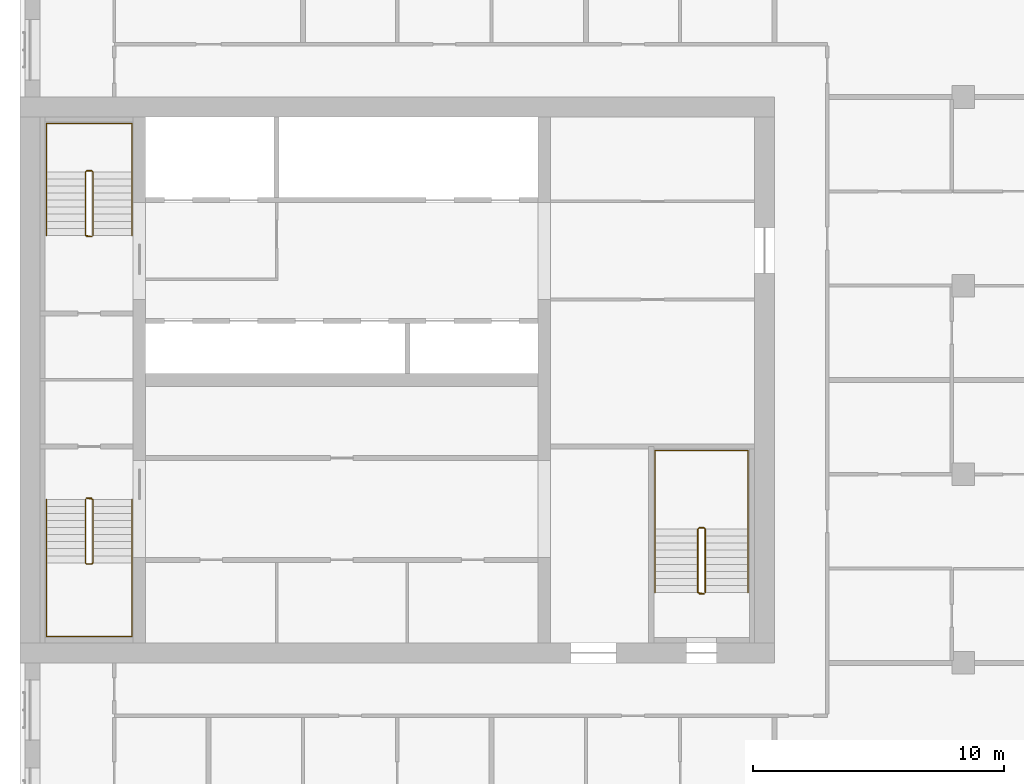
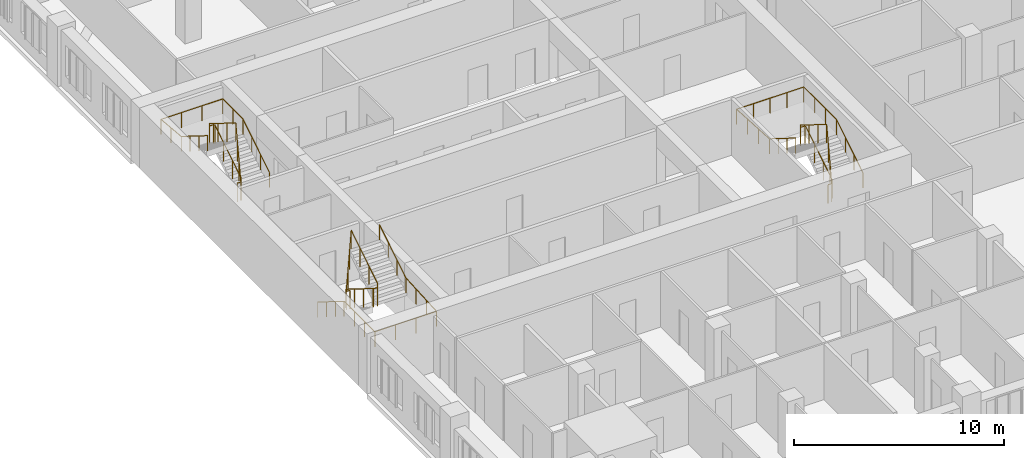
# One storey, part 14 of 14: 6 railings.
"""IFC4 building model written with IfcOpenShell, lengths in metres."""

from ifc_helpers import new_model, si_unit, direction, frame, origin, origin_2d, place, context, subcontext, project, spatial, circle, extrude, material, type_object, element, save


model = new_model("IFC4")

# Units and contexts
model_context = context("Model", 3, precision=1e-05, world=origin(), true_north=direction((0.0, 1.0)))
body_context = subcontext(model_context, "Body", "Model", "MODEL_VIEW")
ifc_project = project(units=[si_unit("LENGTHUNIT", "METRE"), si_unit("AREAUNIT", "SQUARE_METRE"), si_unit("VOLUMEUNIT", "CUBIC_METRE"), si_unit("PLANEANGLEUNIT", "RADIAN"), si_unit("MASSUNIT", "GRAM", prefix="KILO")], contexts=[model_context])

# Site, building, storey
site_placement = place(None, origin())
site = spatial("IfcSite", under=ifc_project, at=site_placement, CompositionType="ELEMENT")
building_placement = place(site_placement, origin())
building = spatial("IfcBuilding", under=site, at=building_placement, Name="Tamorin Gate", CompositionType="ELEMENT")
storey_placement = place(building_placement, frame((0.0, 0.0, 207.199951171875)))
storey = spatial("IfcBuildingStorey", under=building, at=storey_placement, Name="L51", CompositionType="ELEMENT", Elevation=207.199951171875)

# Railings
ifc_material_1 = material(Name="Painted steel balustrade", Category="steel")
railing_type_1 = type_object("IfcRailingType", Name="Stair guard 1100", PredefinedType="GUARDRAIL", material=ifc_material_1)
railing_1_placement = place(storey_placement, frame((32.60009765625, 66.5, 0.175048828125)))
element("IfcRailing", 1, at=railing_1_placement, inside=storey, type_object=railing_type_1, Name="L51 ST1 stair guard 1", PredefinedType="GUARDRAIL", context=body_context, shape_type="SweptSolid", body=[
    extrude(circle(Radius=0.02392578125, at=origin_2d()), frame((0.0, 0.0, 1.076171875), z_axis=(0.0, -0.848007534815, 0.529984170421), x_axis=(1.0, 0.0, 0.0)), (0.0, 0.0, 1.0), 2.9716796875),
    extrude(circle(Radius=0.02392578125, at=origin_2d()), frame((0.0, -2.52001953125, 2.65087890625), z_axis=(0.705375805398, -0.708833529934, 0.0), x_axis=(0.708833529934, 0.705375805398, 0.0)), (0.0, 0.0, 1.0), 0.070556640625),
    extrude(circle(Radius=0.02392578125, at=origin_2d()), frame((0.0498046875, -2.570068359375, 2.65087890625), z_axis=(1.0, 0.0, 0.0), x_axis=(0.0, 1.0, 0.0)), (0.0, 0.0, 1.0), 0.2001953125),
    extrude(circle(Radius=0.02392578125, at=origin_2d()), frame((0.25, -2.570068359375, 2.65087890625), z_axis=(0.263862480399, 0.265155923931, 0.927399011991), x_axis=(-0.708833529934, 0.705375805398, 0.0)), (0.0, 0.0, 1.0), 0.188720703125),
    extrude(circle(Radius=0.02392578125, at=origin_2d()), frame((0.2998046875, -2.52001953125, 2.826171875), z_axis=(0.0, 0.848007534815, 0.529984170421), x_axis=(-1.0, 0.0, 0.0)), (0.0, 0.0, 1.0), 2.9716796875),
    extrude(circle(Radius=0.02392578125, at=origin_2d()), frame((0.2998046875, 0.0, 4.40087890625), z_axis=(-0.071239803756, 0.014261874775, -0.997357252587), x_axis=(-0.196300278283, -0.98054382908, 0.0)), (0.0, 0.0, 1.0), 3.50927734375),
    extrude(circle(Radius=0.02392578125, at=origin_2d()), frame((0.0498046875, 0.050048828125, 0.90087890625), z_axis=(1.0, 0.0, 0.0), x_axis=(0.0, 1.0, 0.0)), (0.0, 0.0, 1.0), 0.2001953125),
    extrude(circle(Radius=0.02099609375, at=origin_2d()), origin(), (0.0, 0.0, 1.0), 1.052001953125),
    extrude(circle(Radius=0.02099609375, at=origin_2d()), frame((0.0, -0.840087890625, 0.52490234375)), (0.0, 0.0, 1.0), 1.052001953125),
    extrude(circle(Radius=0.02099609375, at=origin_2d()), frame((0.0, -1.679931640625, 1.050048828125)), (0.0, 0.0, 1.0), 1.052001953125),
    extrude(circle(Radius=0.02099609375, at=origin_2d()), frame((0.0, -2.52001953125, 1.574951171875)), (0.0, 0.0, 1.0), 1.052001953125),
    extrude(circle(Radius=0.02099609375, at=origin_2d()), frame((0.0498046875, -2.570068359375, 1.574951171875)), (0.0, 0.0, 1.0), 1.052001953125),
    extrude(circle(Radius=0.02099609375, at=origin_2d()), frame((0.25, -2.570068359375, 1.574951171875)), (0.0, 0.0, 1.0), 1.052001953125),
    extrude(circle(Radius=0.02099609375, at=origin_2d()), frame((0.2998046875, -2.52001953125, 1.75)), (0.0, 0.0, 1.0), 1.052001953125),
    extrude(circle(Radius=0.02099609375, at=origin_2d()), frame((0.2998046875, -1.679931640625, 2.27490234375)), (0.0, 0.0, 1.0), 1.052001953125),
    extrude(circle(Radius=0.02099609375, at=origin_2d()), frame((0.2998046875, -0.840087890625, 2.800048828125)), (0.0, 0.0, 1.0), 1.052001953125),
    extrude(circle(Radius=0.02099609375, at=origin_2d()), frame((0.2998046875, 0.0, 3.324951171875)), (0.0, 0.0, 1.0), 1.052001953125),
    extrude(circle(Radius=0.02099609375, at=origin_2d()), frame((0.216552734375, 0.0166015625, 2.158203125)), (0.0, 0.0, 1.0), 1.052001953125),
    extrude(circle(Radius=0.02099609375, at=origin_2d()), frame((0.133056640625, 0.033447265625, 0.99169921875)), (0.0, 0.0, 1.0), 1.052001953125),
    extrude(circle(Radius=0.02099609375, at=origin_2d()), frame((0.0498046875, 0.050048828125, -0.175048828125)), (0.0, 0.0, 1.0), 1.052001953125),
    extrude(circle(Radius=0.02099609375, at=origin_2d()), frame((0.25, 0.050048828125, -0.175048828125)), (0.0, 0.0, 1.0), 1.052001953125),
])
railing_2_placement = place(storey_placement, frame((32.89990234375, 77.0, 0.175048828125)))
element("IfcRailing", 2, at=railing_2_placement, inside=storey, type_object=railing_type_1, Name="L51 ST2 stair guard 1", PredefinedType="GUARDRAIL", context=body_context, shape_type="SweptSolid", body=[
    extrude(circle(Radius=0.02392578125, at=origin_2d()), frame((0.0, 0.0, 1.076171875), z_axis=(0.0, 0.848007534815, 0.529984170421), x_axis=(-1.0, 0.0, 0.0)), (0.0, 0.0, 1.0), 2.9716796875),
    extrude(circle(Radius=0.02392578125, at=origin_2d()), frame((0.0, 2.52001953125, 2.65087890625), z_axis=(-0.705375805398, 0.708833529934, 0.0), x_axis=(-0.708833529934, -0.705375805398, 0.0)), (0.0, 0.0, 1.0), 0.070556640625),
    extrude(circle(Radius=0.02392578125, at=origin_2d()), frame((-0.0498046875, 2.570068359375, 2.65087890625), z_axis=(-1.0, 0.0, 0.0), x_axis=(0.0, -1.0, 0.0)), (0.0, 0.0, 1.0), 0.2001953125),
    extrude(circle(Radius=0.02392578125, at=origin_2d()), frame((-0.25, 2.570068359375, 2.65087890625), z_axis=(-0.263862480399, -0.265155923931, 0.927399011991), x_axis=(0.708833529934, -0.705375805398, 0.0)), (0.0, 0.0, 1.0), 0.188720703125),
    extrude(circle(Radius=0.02392578125, at=origin_2d()), frame((-0.2998046875, 2.52001953125, 2.826171875), z_axis=(0.0, -0.848007534815, 0.529984170421), x_axis=(1.0, 0.0, 0.0)), (0.0, 0.0, 1.0), 2.9716796875),
    extrude(circle(Radius=0.02392578125, at=origin_2d()), frame((-0.2998046875, 0.0, 4.40087890625), z_axis=(0.071239803756, -0.014261874775, -0.997357252587), x_axis=(0.196300278283, 0.98054382908, 0.0)), (0.0, 0.0, 1.0), 3.50927734375),
    extrude(circle(Radius=0.02392578125, at=origin_2d()), frame((-0.0498046875, -0.050048828125, 0.90087890625), z_axis=(-1.0, 0.0, 0.0), x_axis=(0.0, -1.0, 0.0)), (0.0, 0.0, 1.0), 0.2001953125),
    extrude(circle(Radius=0.02099609375, at=origin_2d()), origin(), (0.0, 0.0, 1.0), 1.052001953125),
    extrude(circle(Radius=0.02099609375, at=origin_2d()), frame((0.0, 0.840087890625, 0.52490234375)), (0.0, 0.0, 1.0), 1.052001953125),
    extrude(circle(Radius=0.02099609375, at=origin_2d()), frame((0.0, 1.679931640625, 1.050048828125)), (0.0, 0.0, 1.0), 1.052001953125),
    extrude(circle(Radius=0.02099609375, at=origin_2d()), frame((0.0, 2.52001953125, 1.574951171875)), (0.0, 0.0, 1.0), 1.052001953125),
    extrude(circle(Radius=0.02099609375, at=origin_2d()), frame((-0.0498046875, 2.570068359375, 1.574951171875)), (0.0, 0.0, 1.0), 1.052001953125),
    extrude(circle(Radius=0.02099609375, at=origin_2d()), frame((-0.25, 2.570068359375, 1.574951171875)), (0.0, 0.0, 1.0), 1.052001953125),
    extrude(circle(Radius=0.02099609375, at=origin_2d()), frame((-0.2998046875, 2.52001953125, 1.75)), (0.0, 0.0, 1.0), 1.052001953125),
    extrude(circle(Radius=0.02099609375, at=origin_2d()), frame((-0.2998046875, 1.679931640625, 2.27490234375)), (0.0, 0.0, 1.0), 1.052001953125),
    extrude(circle(Radius=0.02099609375, at=origin_2d()), frame((-0.2998046875, 0.840087890625, 2.800048828125)), (0.0, 0.0, 1.0), 1.052001953125),
    extrude(circle(Radius=0.02099609375, at=origin_2d()), frame((-0.2998046875, 0.0, 3.324951171875)), (0.0, 0.0, 1.0), 1.052001953125),
    extrude(circle(Radius=0.02099609375, at=origin_2d()), frame((-0.216552734375, -0.0166015625, 2.158203125)), (0.0, 0.0, 1.0), 1.052001953125),
    extrude(circle(Radius=0.02099609375, at=origin_2d()), frame((-0.133056640625, -0.033447265625, 0.99169921875)), (0.0, 0.0, 1.0), 1.052001953125),
    extrude(circle(Radius=0.02099609375, at=origin_2d()), frame((-0.0498046875, -0.050048828125, -0.175048828125)), (0.0, 0.0, 1.0), 1.052001953125),
    extrude(circle(Radius=0.02099609375, at=origin_2d()), frame((-0.25, -0.050048828125, -0.175048828125)), (0.0, 0.0, 1.0), 1.052001953125),
])
railing_3_placement = place(storey_placement, frame((57.25, 62.800048828125, 0.175048828125)))
element("IfcRailing", 3, at=railing_3_placement, inside=storey, type_object=railing_type_1, Name="L51 ST3 stair guard 1", PredefinedType="GUARDRAIL", context=body_context, shape_type="SweptSolid", body=[
    extrude(circle(Radius=0.02392578125, at=origin_2d()), frame((0.0, 0.0, 1.076171875), z_axis=(0.0, 0.848007534815, 0.529984170421), x_axis=(-1.0, 0.0, 0.0)), (0.0, 0.0, 1.0), 2.9716796875),
    extrude(circle(Radius=0.02392578125, at=origin_2d()), frame((0.0, 2.52001953125, 2.65087890625), z_axis=(-0.707106781187, 0.707106781187, 0.0), x_axis=(-0.707106781187, -0.707106781187, 0.0)), (0.0, 0.0, 1.0), 0.07080078125),
    extrude(circle(Radius=0.02392578125, at=origin_2d()), frame((-0.050048828125, 2.570068359375, 2.65087890625), z_axis=(-1.0, 0.0, 0.0), x_axis=(0.0, -1.0, 0.0)), (0.0, 0.0, 1.0), 0.199951171875),
    extrude(circle(Radius=0.02392578125, at=origin_2d()), frame((-0.25, 2.570068359375, 2.65087890625), z_axis=(-0.265065253269, -0.265065253269, 0.927081885822), x_axis=(0.707106781187, -0.707106781187, 0.0)), (0.0, 0.0, 1.0), 0.188720703125),
    extrude(circle(Radius=0.02392578125, at=origin_2d()), frame((-0.300048828125, 2.52001953125, 2.826171875), z_axis=(0.0, -0.848007534815, 0.529984170421), x_axis=(1.0, 0.0, 0.0)), (0.0, 0.0, 1.0), 2.9716796875),
    extrude(circle(Radius=0.02392578125, at=origin_2d()), frame((-0.300048828125, 0.0, 4.40087890625), z_axis=(0.071239803756, -0.014261874775, -0.997357252587), x_axis=(0.196300278283, 0.98054382908, 0.0)), (0.0, 0.0, 1.0), 3.50927734375),
    extrude(circle(Radius=0.02392578125, at=origin_2d()), frame((-0.050048828125, -0.050048828125, 0.90087890625), z_axis=(-1.0, 0.0, 0.0), x_axis=(0.0, -1.0, 0.0)), (0.0, 0.0, 1.0), 0.199951171875),
    extrude(circle(Radius=0.02099609375, at=origin_2d()), origin(), (0.0, 0.0, 1.0), 1.052001953125),
    extrude(circle(Radius=0.02099609375, at=origin_2d()), frame((0.0, 0.840087890625, 0.52490234375)), (0.0, 0.0, 1.0), 1.052001953125),
    extrude(circle(Radius=0.02099609375, at=origin_2d()), frame((0.0, 1.679931640625, 1.050048828125)), (0.0, 0.0, 1.0), 1.052001953125),
    extrude(circle(Radius=0.02099609375, at=origin_2d()), frame((0.0, 2.52001953125, 1.574951171875)), (0.0, 0.0, 1.0), 1.052001953125),
    extrude(circle(Radius=0.02099609375, at=origin_2d()), frame((-0.050048828125, 2.570068359375, 1.574951171875)), (0.0, 0.0, 1.0), 1.052001953125),
    extrude(circle(Radius=0.02099609375, at=origin_2d()), frame((-0.25, 2.570068359375, 1.574951171875)), (0.0, 0.0, 1.0), 1.052001953125),
    extrude(circle(Radius=0.02099609375, at=origin_2d()), frame((-0.300048828125, 2.52001953125, 1.75)), (0.0, 0.0, 1.0), 1.052001953125),
    extrude(circle(Radius=0.02099609375, at=origin_2d()), frame((-0.300048828125, 1.679931640625, 2.27490234375)), (0.0, 0.0, 1.0), 1.052001953125),
    extrude(circle(Radius=0.02099609375, at=origin_2d()), frame((-0.300048828125, 0.840087890625, 2.800048828125)), (0.0, 0.0, 1.0), 1.052001953125),
    extrude(circle(Radius=0.02099609375, at=origin_2d()), frame((-0.300048828125, 0.0, 3.324951171875)), (0.0, 0.0, 1.0), 1.052001953125),
    extrude(circle(Radius=0.02099609375, at=origin_2d()), frame((-0.216796875, -0.0166015625, 2.158203125)), (0.0, 0.0, 1.0), 1.052001953125),
    extrude(circle(Radius=0.02099609375, at=origin_2d()), frame((-0.13330078125, -0.033447265625, 0.99169921875)), (0.0, 0.0, 1.0), 1.052001953125),
    extrude(circle(Radius=0.02099609375, at=origin_2d()), frame((-0.050048828125, -0.050048828125, -0.175048828125)), (0.0, 0.0, 1.0), 1.052001953125),
    extrude(circle(Radius=0.02099609375, at=origin_2d()), frame((-0.25, -0.050048828125, -0.175048828125)), (0.0, 0.0, 1.0), 1.052001953125),
])
ifc_material_2 = material(Name="Painted steel handrail", Category="steel")
railing_type_2 = type_object("IfcRailingType", Name="Stair handrail 900", PredefinedType="HANDRAIL", material=ifc_material_2)
railing_4_placement = place(storey_placement, frame((31.050048828125, 66.5, 0.175048828125)))
element("IfcRailing", 4, at=railing_4_placement, inside=storey, type_object=railing_type_2, Name="L51 ST1 stair handrail 1", PredefinedType="HANDRAIL", context=body_context, shape_type="SweptSolid", body=[
    extrude(circle(Radius=0.02392578125, at=origin_2d()), frame((0.0, 0.0, 0.8759765625), z_axis=(0.0, -0.848007534815, 0.529984170421), x_axis=(1.0, 0.0, 0.0)), (0.0, 0.0, 1.0), 2.9716796875),
    extrude(circle(Radius=0.02392578125, at=origin_2d()), frame((0.0, -2.52001953125, 2.45068359375), z_axis=(0.0, -1.0, 0.0), x_axis=(1.0, 0.0, 0.0)), (0.0, 0.0, 1.0), 2.929931640625),
    extrude(circle(Radius=0.02392578125, at=origin_2d()), frame((0.0, -5.449951171875, 2.45068359375), z_axis=(1.0, 0.0, 0.0), x_axis=(0.0, 1.0, 0.0)), (0.0, 0.0, 1.0), 3.39990234375),
    extrude(circle(Radius=0.02392578125, at=origin_2d()), frame((3.39990234375, -5.449951171875, 2.45068359375), z_axis=(0.0, 0.998220029962, 0.0596386769), x_axis=(-1.0, 0.0, 0.0)), (0.0, 0.0, 1.0), 2.93505859375),
    extrude(circle(Radius=0.02392578125, at=origin_2d()), frame((3.39990234375, -2.52001953125, 2.6259765625), z_axis=(0.0, 0.848007534815, 0.529984170421), x_axis=(-1.0, 0.0, 0.0)), (0.0, 0.0, 1.0), 2.9716796875),
    extrude(circle(Radius=0.02099609375, at=origin_2d()), origin(), (0.0, 0.0, 1.0), 0.851806640625),
    extrude(circle(Radius=0.02099609375, at=origin_2d()), frame((0.0, -0.840087890625, 0.52490234375)), (0.0, 0.0, 1.0), 0.851806640625),
    extrude(circle(Radius=0.02099609375, at=origin_2d()), frame((0.0, -1.679931640625, 1.050048828125)), (0.0, 0.0, 1.0), 0.851806640625),
    extrude(circle(Radius=0.02099609375, at=origin_2d()), frame((0.0, -2.52001953125, 1.574951171875)), (0.0, 0.0, 1.0), 0.851806640625),
    extrude(circle(Radius=0.02099609375, at=origin_2d()), frame((0.0, -3.49658203125, 1.574951171875)), (0.0, 0.0, 1.0), 0.851806640625),
    extrude(circle(Radius=0.02099609375, at=origin_2d()), frame((0.0, -4.473388671875, 1.574951171875)), (0.0, 0.0, 1.0), 0.851806640625),
    extrude(circle(Radius=0.02099609375, at=origin_2d()), frame((0.0, -5.449951171875, 1.574951171875)), (0.0, 0.0, 1.0), 0.851806640625),
    extrude(circle(Radius=0.02099609375, at=origin_2d()), frame((1.13330078125, -5.449951171875, 1.574951171875)), (0.0, 0.0, 1.0), 0.851806640625),
    extrude(circle(Radius=0.02099609375, at=origin_2d()), frame((2.2666015625, -5.449951171875, 1.574951171875)), (0.0, 0.0, 1.0), 0.851806640625),
    extrude(circle(Radius=0.02099609375, at=origin_2d()), frame((3.39990234375, -5.449951171875, 1.574951171875)), (0.0, 0.0, 1.0), 0.851806640625),
    extrude(circle(Radius=0.02099609375, at=origin_2d()), frame((3.39990234375, -4.473388671875, 1.63330078125)), (0.0, 0.0, 1.0), 0.851806640625),
    extrude(circle(Radius=0.02099609375, at=origin_2d()), frame((3.39990234375, -3.49658203125, 1.691650390625)), (0.0, 0.0, 1.0), 0.851806640625),
    extrude(circle(Radius=0.02099609375, at=origin_2d()), frame((3.39990234375, -2.52001953125, 1.75)), (0.0, 0.0, 1.0), 0.851806640625),
    extrude(circle(Radius=0.02099609375, at=origin_2d()), frame((3.39990234375, -1.679931640625, 2.27490234375)), (0.0, 0.0, 1.0), 0.851806640625),
    extrude(circle(Radius=0.02099609375, at=origin_2d()), frame((3.39990234375, -0.840087890625, 2.800048828125)), (0.0, 0.0, 1.0), 0.851806640625),
    extrude(circle(Radius=0.02099609375, at=origin_2d()), frame((3.39990234375, 0.0, 3.324951171875)), (0.0, 0.0, 1.0), 0.851806640625),
])
railing_5_placement = place(storey_placement, frame((34.449951171875, 77.0, 0.175048828125)))
element("IfcRailing", 5, at=railing_5_placement, inside=storey, type_object=railing_type_2, Name="L51 ST2 stair handrail 1", PredefinedType="HANDRAIL", context=body_context, shape_type="SweptSolid", body=[
    extrude(circle(Radius=0.02392578125, at=origin_2d()), frame((0.0, 0.0, 0.8759765625), z_axis=(0.0, 0.848007534815, 0.529984170421), x_axis=(-1.0, 0.0, 0.0)), (0.0, 0.0, 1.0), 2.9716796875),
    extrude(circle(Radius=0.02392578125, at=origin_2d()), frame((0.0, 2.52001953125, 2.45068359375), z_axis=(0.0, 1.0, 0.0), x_axis=(-1.0, 0.0, 0.0)), (0.0, 0.0, 1.0), 1.929931640625),
    extrude(circle(Radius=0.02392578125, at=origin_2d()), frame((0.0, 4.449951171875, 2.45068359375), z_axis=(-1.0, 0.0, 0.0), x_axis=(0.0, -1.0, 0.0)), (0.0, 0.0, 1.0), 3.39990234375),
    extrude(circle(Radius=0.02392578125, at=origin_2d()), frame((-3.39990234375, 4.449951171875, 2.45068359375), z_axis=(0.0, -0.995911773435, 0.090331276604), x_axis=(1.0, 0.0, 0.0)), (0.0, 0.0, 1.0), 1.937744140625),
    extrude(circle(Radius=0.02392578125, at=origin_2d()), frame((-3.39990234375, 2.52001953125, 2.6259765625), z_axis=(0.0, -0.848007534815, 0.529984170421), x_axis=(1.0, 0.0, 0.0)), (0.0, 0.0, 1.0), 2.9716796875),
    extrude(circle(Radius=0.02099609375, at=origin_2d()), origin(), (0.0, 0.0, 1.0), 0.851806640625),
    extrude(circle(Radius=0.02099609375, at=origin_2d()), frame((0.0, 0.840087890625, 0.52490234375)), (0.0, 0.0, 1.0), 0.851806640625),
    extrude(circle(Radius=0.02099609375, at=origin_2d()), frame((0.0, 1.679931640625, 1.050048828125)), (0.0, 0.0, 1.0), 0.851806640625),
    extrude(circle(Radius=0.02099609375, at=origin_2d()), frame((0.0, 2.52001953125, 1.574951171875)), (0.0, 0.0, 1.0), 0.851806640625),
    extrude(circle(Radius=0.02099609375, at=origin_2d()), frame((0.0, 3.48486328125, 1.574951171875)), (0.0, 0.0, 1.0), 0.851806640625),
    extrude(circle(Radius=0.02099609375, at=origin_2d()), frame((0.0, 4.449951171875, 1.574951171875)), (0.0, 0.0, 1.0), 0.851806640625),
    extrude(circle(Radius=0.02099609375, at=origin_2d()), frame((-1.13330078125, 4.449951171875, 1.574951171875)), (0.0, 0.0, 1.0), 0.851806640625),
    extrude(circle(Radius=0.02099609375, at=origin_2d()), frame((-2.2666015625, 4.449951171875, 1.574951171875)), (0.0, 0.0, 1.0), 0.851806640625),
    extrude(circle(Radius=0.02099609375, at=origin_2d()), frame((-3.39990234375, 4.449951171875, 1.574951171875)), (0.0, 0.0, 1.0), 0.851806640625),
    extrude(circle(Radius=0.02099609375, at=origin_2d()), frame((-3.39990234375, 3.48486328125, 1.66259765625)), (0.0, 0.0, 1.0), 0.851806640625),
    extrude(circle(Radius=0.02099609375, at=origin_2d()), frame((-3.39990234375, 2.52001953125, 1.75)), (0.0, 0.0, 1.0), 0.851806640625),
    extrude(circle(Radius=0.02099609375, at=origin_2d()), frame((-3.39990234375, 1.679931640625, 2.27490234375)), (0.0, 0.0, 1.0), 0.851806640625),
    extrude(circle(Radius=0.02099609375, at=origin_2d()), frame((-3.39990234375, 0.840087890625, 2.800048828125)), (0.0, 0.0, 1.0), 0.851806640625),
    extrude(circle(Radius=0.02099609375, at=origin_2d()), frame((-3.39990234375, 0.0, 3.324951171875)), (0.0, 0.0, 1.0), 0.851806640625),
])
railing_6_placement = place(storey_placement, frame((58.949951171875, 62.800048828125, 0.175048828125)))
element("IfcRailing", 6, at=railing_6_placement, inside=storey, type_object=railing_type_2, Name="L51 ST3 stair handrail 1", PredefinedType="HANDRAIL", context=body_context, shape_type="SweptSolid", body=[
    extrude(circle(Radius=0.02392578125, at=origin_2d()), frame((0.0, 0.0, 0.8759765625), z_axis=(0.0, 0.848007534815, 0.529984170421), x_axis=(-1.0, 0.0, 0.0)), (0.0, 0.0, 1.0), 2.9716796875),
    extrude(circle(Radius=0.02392578125, at=origin_2d()), frame((0.0, 2.52001953125, 2.45068359375), z_axis=(0.0, 1.0, 0.0), x_axis=(-1.0, 0.0, 0.0)), (0.0, 0.0, 1.0), 3.1298828125),
    extrude(circle(Radius=0.02392578125, at=origin_2d()), frame((0.0, 5.64990234375, 2.45068359375), z_axis=(-1.0, 0.0, 0.0), x_axis=(0.0, -1.0, 0.0)), (0.0, 0.0, 1.0), 3.699951171875),
    extrude(circle(Radius=0.02392578125, at=origin_2d()), frame((-3.699951171875, 5.64990234375, 2.45068359375), z_axis=(0.0, -0.998439675676, 0.055840970941), x_axis=(1.0, 0.0, 0.0)), (0.0, 0.0, 1.0), 3.134765625),
    extrude(circle(Radius=0.02392578125, at=origin_2d()), frame((-3.699951171875, 2.52001953125, 2.6259765625), z_axis=(0.0, -0.848007534815, 0.529984170421), x_axis=(1.0, 0.0, 0.0)), (0.0, 0.0, 1.0), 2.9716796875),
    extrude(circle(Radius=0.02099609375, at=origin_2d()), origin(), (0.0, 0.0, 1.0), 0.851806640625),
    extrude(circle(Radius=0.02099609375, at=origin_2d()), frame((0.0, 0.840087890625, 0.52490234375)), (0.0, 0.0, 1.0), 0.851806640625),
    extrude(circle(Radius=0.02099609375, at=origin_2d()), frame((0.0, 1.679931640625, 1.050048828125)), (0.0, 0.0, 1.0), 0.851806640625),
    extrude(circle(Radius=0.02099609375, at=origin_2d()), frame((0.0, 2.52001953125, 1.574951171875)), (0.0, 0.0, 1.0), 0.851806640625),
    extrude(circle(Radius=0.02099609375, at=origin_2d()), frame((0.0, 3.563232421875, 1.574951171875)), (0.0, 0.0, 1.0), 0.851806640625),
    extrude(circle(Radius=0.02099609375, at=origin_2d()), frame((0.0, 4.606689453125, 1.574951171875)), (0.0, 0.0, 1.0), 0.851806640625),
    extrude(circle(Radius=0.02099609375, at=origin_2d()), frame((0.0, 5.64990234375, 1.574951171875)), (0.0, 0.0, 1.0), 0.851806640625),
    extrude(circle(Radius=0.02099609375, at=origin_2d()), frame((-0.925048828125, 5.64990234375, 1.574951171875)), (0.0, 0.0, 1.0), 0.851806640625),
    extrude(circle(Radius=0.02099609375, at=origin_2d()), frame((-1.85009765625, 5.64990234375, 1.574951171875)), (0.0, 0.0, 1.0), 0.851806640625),
    extrude(circle(Radius=0.02099609375, at=origin_2d()), frame((-2.77490234375, 5.64990234375, 1.574951171875)), (0.0, 0.0, 1.0), 0.851806640625),
    extrude(circle(Radius=0.02099609375, at=origin_2d()), frame((-3.699951171875, 5.64990234375, 1.574951171875)), (0.0, 0.0, 1.0), 0.851806640625),
    extrude(circle(Radius=0.02099609375, at=origin_2d()), frame((-3.699951171875, 4.606689453125, 1.63330078125)), (0.0, 0.0, 1.0), 0.851806640625),
    extrude(circle(Radius=0.02099609375, at=origin_2d()), frame((-3.699951171875, 3.563232421875, 1.691650390625)), (0.0, 0.0, 1.0), 0.851806640625),
    extrude(circle(Radius=0.02099609375, at=origin_2d()), frame((-3.699951171875, 2.52001953125, 1.75)), (0.0, 0.0, 1.0), 0.851806640625),
    extrude(circle(Radius=0.02099609375, at=origin_2d()), frame((-3.699951171875, 1.679931640625, 2.27490234375)), (0.0, 0.0, 1.0), 0.851806640625),
    extrude(circle(Radius=0.02099609375, at=origin_2d()), frame((-3.699951171875, 0.840087890625, 2.800048828125)), (0.0, 0.0, 1.0), 0.851806640625),
    extrude(circle(Radius=0.02099609375, at=origin_2d()), frame((-3.699951171875, 0.0, 3.324951171875)), (0.0, 0.0, 1.0), 0.851806640625),
])

save(model, "model.ifc")
